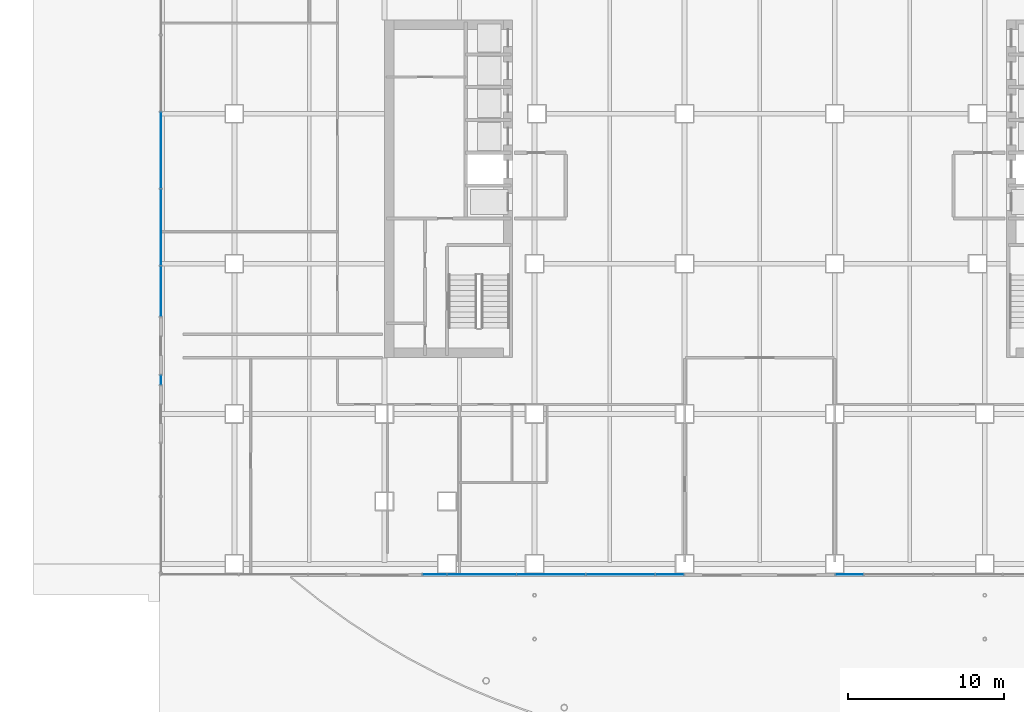
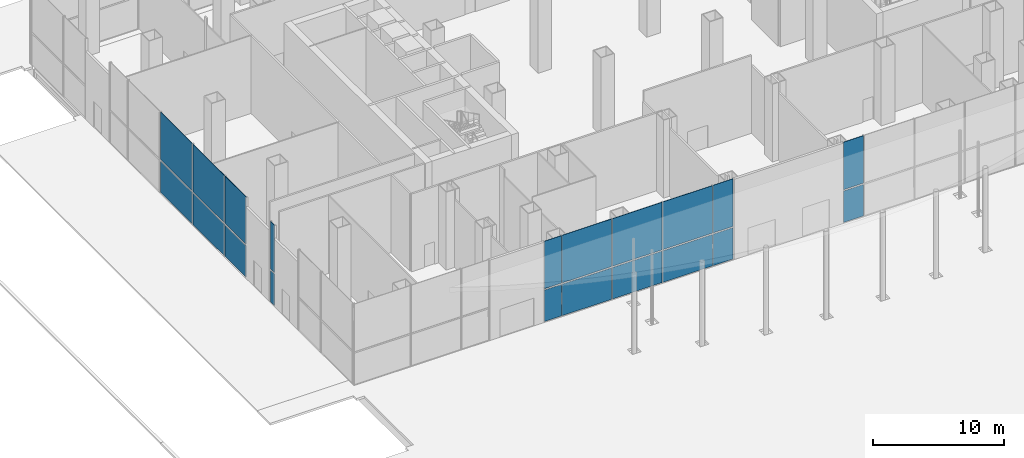
# One storey, part 21 of 36: 20 plates, 4 elements without a shape of their own.
"""IFC4 building model written with IfcOpenShell, lengths in metres."""

from ifc_helpers import new_model, si_unit, direction, frame, origin, origin_2d, place, context, subcontext, project, spatial, rectangle, extrude, material, layer, layer_set, type_object, element, aggregate, save


model = new_model("IFC4")

# Units and contexts
model_context = context("Model", 3, precision=1e-05, world=origin(), true_north=direction((0.0, 1.0)))
body_context = subcontext(model_context, "Body", "Model", "MODEL_VIEW")
ifc_project = project(units=[si_unit("LENGTHUNIT", "METRE"), si_unit("AREAUNIT", "SQUARE_METRE"), si_unit("VOLUMEUNIT", "CUBIC_METRE"), si_unit("PLANEANGLEUNIT", "RADIAN"), si_unit("MASSUNIT", "GRAM", prefix="KILO")], contexts=[model_context])

# Site, building, storey
site_placement = place(None, origin())
site = spatial("IfcSite", under=ifc_project, at=site_placement, CompositionType="ELEMENT")
building_placement = place(site_placement, origin())
building = spatial("IfcBuilding", under=site, at=building_placement, Name="Cobrizo Arcos Hotel Tower", CompositionType="ELEMENT")
storey_placement = place(building_placement, origin())
storey = spatial("IfcBuildingStorey", under=building, at=storey_placement, Name="L00", CompositionType="ELEMENT", Elevation=0.0)

# Curtain wall, plates
ifc_material_1 = material(Name="Aluminium 6063-T6 anodised bronze", Category="aluminium")
curtain_wall_type_1 = type_object("IfcCurtainWallType", Name="CW-A guest facade", PredefinedType="NOTDEFINED", material=ifc_material_1)
curtain_wall_1_placement = place(storey_placement, origin())
curtain_wall_1 = element("IfcCurtainWall", 1, at=curtain_wall_1_placement, inside=storey, type_object=curtain_wall_type_1, Name="CW-A L00 S face", PredefinedType="NOTDEFINED")
ifc_material_2 = material(Name="Glass clear laminated low-e", Category="glass")
ifc_layer_1 = layer(ifc_material_2, 0.0400390625)
ifc_layer_set_1 = layer_set([ifc_layer_1], Name="CW-A glass panel")
plate_type_1 = type_object("IfcPlateType", Name="CW-A glass panel", PredefinedType="CURTAIN_PANEL", material=ifc_layer_set_1)
plate_1_placement = place(storey_placement, frame((-20.784912109375, -24.675048828125, 0.0), z_axis=(0.0, 0.0, 1.0), x_axis=(1.0, 0.0, 0.0)))
plate_1 = element("IfcPlate", 2, at=plate_1_placement, type_object=plate_type_1, Name="CW-A glass panel 40", PredefinedType="CURTAIN_PANEL", context=body_context, shape_type="SweptSolid", body=[
    extrude(rectangle(XDim=1.510009765625, YDim=0.0400390625, at=origin_2d()), origin(), (0.0, 0.0, 1.0), 2.93994140625),
])
plate_2_placement = place(storey_placement, frame((-20.784912109375, -24.675048828125, 3.06005859375), z_axis=(0.0, 0.0, 1.0), x_axis=(1.0, 0.0, 0.0)))
plate_2 = element("IfcPlate", 3, at=plate_2_placement, type_object=plate_type_1, Name="CW-A glass panel 40", PredefinedType="CURTAIN_PANEL", context=body_context, shape_type="SweptSolid", body=[
    extrude(rectangle(XDim=1.510009765625, YDim=0.0400390625, at=origin_2d()), origin(), (0.0, 0.0, 1.0), 4.43994140625),
])
plate_3_placement = place(storey_placement, frame((-17.77783203125, -24.675048828125, 0.0), z_axis=(0.0, 0.0, 1.0), x_axis=(1.0, 0.0, 0.0)))
plate_3 = element("IfcPlate", 4, at=plate_3_placement, type_object=plate_type_1, Name="CW-A glass panel 41", PredefinedType="CURTAIN_PANEL", context=body_context, shape_type="SweptSolid", body=[
    extrude(rectangle(XDim=4.384521484375, YDim=0.0400390625, at=origin_2d()), origin(), (0.0, 0.0, 1.0), 2.93994140625),
])
plate_4_placement = place(storey_placement, frame((-17.77783203125, -24.675048828125, 3.06005859375), z_axis=(0.0, 0.0, 1.0), x_axis=(1.0, 0.0, 0.0)))
plate_4 = element("IfcPlate", 5, at=plate_4_placement, type_object=plate_type_1, Name="CW-A glass panel 41", PredefinedType="CURTAIN_PANEL", context=body_context, shape_type="SweptSolid", body=[
    extrude(rectangle(XDim=4.384521484375, YDim=0.0400390625, at=origin_2d()), origin(), (0.0, 0.0, 1.0), 4.43994140625),
])
plate_5_placement = place(storey_placement, frame((-13.333251953125, -24.675048828125, 0.0), z_axis=(0.0, 0.0, 1.0), x_axis=(1.0, 0.0, 0.0)))
plate_5 = element("IfcPlate", 6, at=plate_5_placement, type_object=plate_type_1, Name="CW-A glass panel 42", PredefinedType="CURTAIN_PANEL", context=body_context, shape_type="SweptSolid", body=[
    extrude(rectangle(XDim=4.384521484375, YDim=0.0400390625, at=origin_2d()), origin(), (0.0, 0.0, 1.0), 2.93994140625),
])
plate_6_placement = place(storey_placement, frame((-13.333251953125, -24.675048828125, 3.06005859375), z_axis=(0.0, 0.0, 1.0), x_axis=(1.0, 0.0, 0.0)))
plate_6 = element("IfcPlate", 7, at=plate_6_placement, type_object=plate_type_1, Name="CW-A glass panel 42", PredefinedType="CURTAIN_PANEL", context=body_context, shape_type="SweptSolid", body=[
    extrude(rectangle(XDim=4.384521484375, YDim=0.0400390625, at=origin_2d()), origin(), (0.0, 0.0, 1.0), 4.43994140625),
])
plate_7_placement = place(storey_placement, frame((-8.888916015625, -24.675048828125, 0.0), z_axis=(0.0, 0.0, 1.0), x_axis=(1.0, 0.0, 0.0)))
plate_7 = element("IfcPlate", 8, at=plate_7_placement, type_object=plate_type_1, Name="CW-A glass panel 43", PredefinedType="CURTAIN_PANEL", context=body_context, shape_type="SweptSolid", body=[
    extrude(rectangle(XDim=4.384521484375, YDim=0.0400390625, at=origin_2d()), origin(), (0.0, 0.0, 1.0), 2.93994140625),
])
plate_8_placement = place(storey_placement, frame((-8.888916015625, -24.675048828125, 3.06005859375), z_axis=(0.0, 0.0, 1.0), x_axis=(1.0, 0.0, 0.0)))
plate_8 = element("IfcPlate", 9, at=plate_8_placement, type_object=plate_type_1, Name="CW-A glass panel 43", PredefinedType="CURTAIN_PANEL", context=body_context, shape_type="SweptSolid", body=[
    extrude(rectangle(XDim=4.384521484375, YDim=0.0400390625, at=origin_2d()), origin(), (0.0, 0.0, 1.0), 4.43994140625),
])
plate_9_placement = place(storey_placement, frame((-5.748291015625, -24.675048828125, 0.0), z_axis=(0.0, 0.0, 1.0), x_axis=(1.0, 0.0, 0.0)))
plate_9 = element("IfcPlate", 10, at=plate_9_placement, type_object=plate_type_1, Name="CW-A glass panel 44", PredefinedType="CURTAIN_PANEL", context=body_context, shape_type="SweptSolid", body=[
    extrude(rectangle(XDim=1.776611328125, YDim=0.0400390625, at=origin_2d()), origin(), (0.0, 0.0, 1.0), 2.93994140625),
])
plate_10_placement = place(storey_placement, frame((-5.748291015625, -24.675048828125, 3.06005859375), z_axis=(0.0, 0.0, 1.0), x_axis=(1.0, 0.0, 0.0)))
plate_10 = element("IfcPlate", 11, at=plate_10_placement, type_object=plate_type_1, Name="CW-A glass panel 44", PredefinedType="CURTAIN_PANEL", context=body_context, shape_type="SweptSolid", body=[
    extrude(rectangle(XDim=1.776611328125, YDim=0.0400390625, at=origin_2d()), origin(), (0.0, 0.0, 1.0), 4.43994140625),
])
aggregate(curtain_wall_1, [plate_1, plate_2, plate_3, plate_4, plate_5, plate_6, plate_7, plate_8, plate_9, plate_10])

curtain_wall_2_placement = place(storey_placement, origin())
curtain_wall_2 = element("IfcCurtainWall", 12, at=curtain_wall_2_placement, inside=storey, type_object=curtain_wall_type_1, Name="CW-A L00 S face", PredefinedType="NOTDEFINED")
plate_11_placement = place(storey_placement, frame((5.748291015625, -24.675048828125, 0.0), z_axis=(0.0, 0.0, 1.0), x_axis=(1.0, 0.0, 0.0)))
plate_11 = element("IfcPlate", 13, at=plate_11_placement, type_object=plate_type_1, Name="CW-A glass panel 45", PredefinedType="CURTAIN_PANEL", context=body_context, shape_type="SweptSolid", body=[
    extrude(rectangle(XDim=1.776611328125, YDim=0.0400390625, at=origin_2d()), origin(), (0.0, 0.0, 1.0), 2.93994140625),
])
plate_12_placement = place(storey_placement, frame((5.748291015625, -24.675048828125, 3.06005859375), z_axis=(0.0, 0.0, 1.0), x_axis=(1.0, 0.0, 0.0)))
plate_12 = element("IfcPlate", 14, at=plate_12_placement, type_object=plate_type_1, Name="CW-A glass panel 45", PredefinedType="CURTAIN_PANEL", context=body_context, shape_type="SweptSolid", body=[
    extrude(rectangle(XDim=1.776611328125, YDim=0.0400390625, at=origin_2d()), origin(), (0.0, 0.0, 1.0), 4.43994140625),
])
aggregate(curtain_wall_2, [plate_11, plate_12])

curtain_wall_type_2 = type_object("IfcCurtainWallType", Name="CW-B podium glazing", PredefinedType="NOTDEFINED", material=ifc_material_1)
curtain_wall_3_placement = place(storey_placement, origin())
curtain_wall_3 = element("IfcCurtainWall", 15, at=curtain_wall_3_placement, inside=storey, type_object=curtain_wall_type_2, Name="CW-B L00 W face", PredefinedType="NOTDEFINED")
ifc_layer_2 = layer(ifc_material_2, 0.0400390625)
ifc_layer_set_2 = layer_set([ifc_layer_2], Name="CW-B glass panel")
plate_type_2 = type_object("IfcPlateType", Name="CW-B glass panel", PredefinedType="CURTAIN_PANEL", material=ifc_layer_set_2)
plate_13_placement = place(storey_placement, frame((-38.300048828125, 2.4599609375, 0.0), z_axis=(0.0, 0.0, 1.0), x_axis=(0.0, -1.0, 0.0)))
plate_13 = element("IfcPlate", 16, at=plate_13_placement, type_object=plate_type_2, Name="CW-B glass panel 31", PredefinedType="CURTAIN_PANEL", context=body_context, shape_type="SweptSolid", body=[
    extrude(rectangle(XDim=4.840087890625, YDim=0.0400390625, at=origin_2d()), origin(), (0.0, 0.0, 1.0), 2.919921875),
])
plate_14_placement = place(storey_placement, frame((-38.300048828125, 2.4599609375, 3.080078125), z_axis=(0.0, 0.0, 1.0), x_axis=(0.0, -1.0, 0.0)))
plate_14 = element("IfcPlate", 17, at=plate_14_placement, type_object=plate_type_2, Name="CW-B glass panel 31", PredefinedType="CURTAIN_PANEL", context=body_context, shape_type="SweptSolid", body=[
    extrude(rectangle(XDim=4.840087890625, YDim=0.0400390625, at=origin_2d()), origin(), (0.0, 0.0, 1.0), 4.419921875),
])
plate_15_placement = place(storey_placement, frame((-38.300048828125, -2.4599609375, 0.0), z_axis=(0.0, 0.0, 1.0), x_axis=(0.0, -1.0, 0.0)))
plate_15 = element("IfcPlate", 18, at=plate_15_placement, type_object=plate_type_2, Name="CW-B glass panel 32", PredefinedType="CURTAIN_PANEL", context=body_context, shape_type="SweptSolid", body=[
    extrude(rectangle(XDim=4.840087890625, YDim=0.0400390625, at=origin_2d()), origin(), (0.0, 0.0, 1.0), 2.919921875),
])
plate_16_placement = place(storey_placement, frame((-38.300048828125, -2.4599609375, 3.080078125), z_axis=(0.0, 0.0, 1.0), x_axis=(0.0, -1.0, 0.0)))
plate_16 = element("IfcPlate", 19, at=plate_16_placement, type_object=plate_type_2, Name="CW-B glass panel 32", PredefinedType="CURTAIN_PANEL", context=body_context, shape_type="SweptSolid", body=[
    extrude(rectangle(XDim=4.840087890625, YDim=0.0400390625, at=origin_2d()), origin(), (0.0, 0.0, 1.0), 4.419921875),
])
plate_17_placement = place(storey_placement, frame((-38.300048828125, -6.56494140625, 0.0), z_axis=(0.0, 0.0, 1.0), x_axis=(0.0, -1.0, 0.0)))
plate_17 = element("IfcPlate", 20, at=plate_17_placement, type_object=plate_type_2, Name="CW-B glass panel 33", PredefinedType="CURTAIN_PANEL", context=body_context, shape_type="SweptSolid", body=[
    extrude(rectangle(XDim=3.2099609375, YDim=0.0400390625, at=origin_2d()), origin(), (0.0, 0.0, 1.0), 2.919921875),
])
plate_18_placement = place(storey_placement, frame((-38.300048828125, -6.56494140625, 3.080078125), z_axis=(0.0, 0.0, 1.0), x_axis=(0.0, -1.0, 0.0)))
plate_18 = element("IfcPlate", 21, at=plate_18_placement, type_object=plate_type_2, Name="CW-B glass panel 33", PredefinedType="CURTAIN_PANEL", context=body_context, shape_type="SweptSolid", body=[
    extrude(rectangle(XDim=3.2099609375, YDim=0.0400390625, at=origin_2d()), origin(), (0.0, 0.0, 1.0), 4.419921875),
])
aggregate(curtain_wall_3, [plate_13, plate_14, plate_15, plate_16, plate_17, plate_18])

curtain_wall_4_placement = place(storey_placement, origin())
curtain_wall_4 = element("IfcCurtainWall", 22, at=curtain_wall_4_placement, inside=storey, type_object=curtain_wall_type_2, Name="CW-B L00 W face", PredefinedType="NOTDEFINED")
plate_19_placement = place(storey_placement, frame((-38.300048828125, -12.22509765625, 0.0), z_axis=(0.0, 0.0, 1.0), x_axis=(0.0, -1.0, 0.0)))
plate_19 = element("IfcPlate", 23, at=plate_19_placement, type_object=plate_type_2, Name="CW-B glass panel 34", PredefinedType="CURTAIN_PANEL", context=body_context, shape_type="SweptSolid", body=[
    extrude(rectangle(XDim=0.590087890625, YDim=0.0400390625, at=origin_2d()), origin(), (0.0, 0.0, 1.0), 2.919921875),
])
plate_20_placement = place(storey_placement, frame((-38.300048828125, -12.22509765625, 3.080078125), z_axis=(0.0, 0.0, 1.0), x_axis=(0.0, -1.0, 0.0)))
plate_20 = element("IfcPlate", 24, at=plate_20_placement, type_object=plate_type_2, Name="CW-B glass panel 34", PredefinedType="CURTAIN_PANEL", context=body_context, shape_type="SweptSolid", body=[
    extrude(rectangle(XDim=0.590087890625, YDim=0.0400390625, at=origin_2d()), origin(), (0.0, 0.0, 1.0), 4.419921875),
])
aggregate(curtain_wall_4, [plate_19, plate_20])

save(model, "model.ifc")
